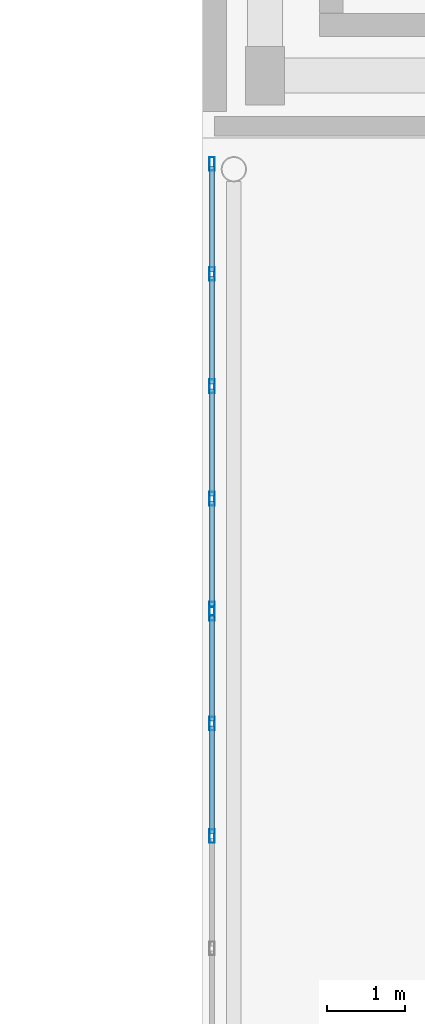
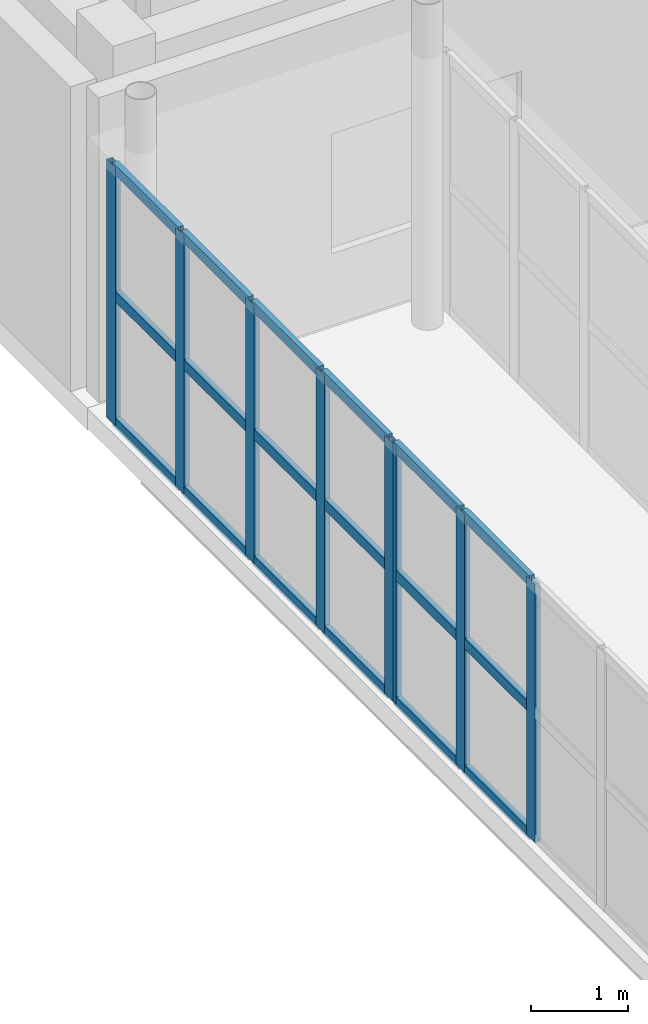
# One storey, part 75 of 146: 26 members, 2 elements without a shape of their own.
"""IFC4 building model written with IfcOpenShell, lengths in metres."""

from ifc_helpers import new_model, si_unit, direction, frame, origin, origin_2d, place, context, subcontext, project, spatial, hollow_rectangle, extrude, material, layer, layer_set, material_profile, profile_set, type_object, element, aggregate, save


model = new_model("IFC4")

# Units and contexts
model_context = context("Model", 3, precision=1e-05, world=origin(), true_north=direction((0.0, 1.0)))
body_context = subcontext(model_context, "Body", "Model", "MODEL_VIEW")
ifc_project = project(units=[si_unit("LENGTHUNIT", "METRE"), si_unit("AREAUNIT", "SQUARE_METRE"), si_unit("VOLUMEUNIT", "CUBIC_METRE"), si_unit("PLANEANGLEUNIT", "RADIAN"), si_unit("MASSUNIT", "GRAM", prefix="KILO")], contexts=[model_context])

# Site, building, storey
site_placement = place(None, origin())
site = spatial("IfcSite", under=ifc_project, at=site_placement, CompositionType="ELEMENT")
building_placement = place(site_placement, origin())
building = spatial("IfcBuilding", under=site, at=building_placement, Name="Valcora Specialist Clinic", CompositionType="ELEMENT")
storey_placement = place(building_placement, frame((0.0, 0.0, 9.52001953125)))
storey = spatial("IfcBuildingStorey", under=building, at=storey_placement, Name="L02", CompositionType="ELEMENT", Elevation=9.52001953125)

# Curtain wall, members
ifc_material = material(Name="Anodized Bronze Aluminium 6063-T6", Category="aluminium")
ifc_layer = layer(ifc_material, 0.175048828125)
ifc_layer_set = layer_set([ifc_layer], Name="Anodized Bronze Aluminium 6063-T6")
curtain_wall_type = type_object("IfcCurtainWallType", Name="TY-CW-BRG14", PredefinedType="NOTDEFINED", material=ifc_layer_set)
curtain_wall_1_placement = place(storey_placement, origin())
curtain_wall_1 = element("IfcCurtainWall", 1, at=curtain_wall_1_placement, inside=storey, type_object=curtain_wall_type, Name="Curtain wall CW-L02-256", PredefinedType="NOTDEFINED")
ifc_material_profile_1 = material_profile(ifc_material, hollow_rectangle(XDim=0.06494140625, YDim=0.175048828125, WallThickness=0.00390625, at=origin_2d()), Name="AL-MUL-65X175")
ifc_profile_set_1 = profile_set([ifc_material_profile_1], Name="Anodized Bronze Aluminium 6063-T6")
member_type_1 = type_object("IfcMemberType", Name="TY-CWM-65X175", PredefinedType="MULLION", material=ifc_profile_set_1)
member_1_placement = place(storey_placement, frame((61.320068359375, 65.050048828125, 0.0), z_axis=(0.0, 0.0, 1.0), x_axis=(-1.0, 0.0, 0.0)))
member_1 = element("IfcMember", 2, at=member_1_placement, type_object=member_type_1, Name="CW-BRG-14 mullion 3", PredefinedType="MULLION", context=body_context, shape_type="SweptSolid", body=[
    extrude(hollow_rectangle(XDim=0.06494140625, YDim=0.175048828125, WallThickness=0.00390625, at=origin_2d()), origin(), (0.0, 0.0, 1.0), 3.239990234375),
])
member_2_placement = place(storey_placement, frame((61.320068359375, 66.49169921875, 0.0), z_axis=(0.0, 0.0, 1.0), x_axis=(-1.0, 0.0, 0.0)))
member_2 = element("IfcMember", 3, at=member_2_placement, type_object=member_type_1, Name="CW-BRG-14 mullion 4", PredefinedType="MULLION", context=body_context, shape_type="SweptSolid", body=[
    extrude(hollow_rectangle(XDim=0.06494140625, YDim=0.175048828125, WallThickness=0.00390625, at=origin_2d()), origin(), (0.0, 0.0, 1.0), 3.239990234375),
])
member_3_placement = place(storey_placement, frame((61.320068359375, 67.90087890625, 0.0), z_axis=(0.0, 0.0, 1.0), x_axis=(-1.0, 0.0, 0.0)))
member_3 = element("IfcMember", 4, at=member_3_placement, type_object=member_type_1, Name="CW-BRG-14 mullion 5", PredefinedType="MULLION", context=body_context, shape_type="SweptSolid", body=[
    extrude(hollow_rectangle(XDim=0.06494140625, YDim=0.175048828125, WallThickness=0.00390625, at=origin_2d()), origin(), (0.0, 0.0, 1.0), 3.239990234375),
])

curtain_wall_2_placement = place(storey_placement, origin())
curtain_wall_2 = element("IfcCurtainWall", 5, at=curtain_wall_2_placement, inside=storey, type_object=curtain_wall_type, Name="Curtain wall CW-L02-257", PredefinedType="NOTDEFINED")
member_4_placement = place(storey_placement, frame((61.320068359375, 67.9658203125, 0.0), z_axis=(0.0, 0.0, 1.0), x_axis=(-1.0, 0.0, 0.0)))
member_4 = element("IfcMember", 6, at=member_4_placement, type_object=member_type_1, Name="CW-BRG-14 mullion 1", PredefinedType="MULLION", context=body_context, shape_type="SweptSolid", body=[
    extrude(hollow_rectangle(XDim=0.06494140625, YDim=0.175048828125, WallThickness=0.00390625, at=origin_2d()), origin(), (0.0, 0.0, 1.0), 3.239990234375),
])
member_5_placement = place(storey_placement, frame((61.320068359375, 69.375, 0.0), z_axis=(0.0, 0.0, 1.0), x_axis=(-1.0, 0.0, 0.0)))
member_5 = element("IfcMember", 7, at=member_5_placement, type_object=member_type_1, Name="CW-BRG-14 mullion 2", PredefinedType="MULLION", context=body_context, shape_type="SweptSolid", body=[
    extrude(hollow_rectangle(XDim=0.06494140625, YDim=0.175048828125, WallThickness=0.00390625, at=origin_2d()), origin(), (0.0, 0.0, 1.0), 3.239990234375),
])
member_6_placement = place(storey_placement, frame((61.320068359375, 70.816650390625, 0.0), z_axis=(0.0, 0.0, 1.0), x_axis=(-1.0, 0.0, 0.0)))
member_6 = element("IfcMember", 8, at=member_6_placement, type_object=member_type_1, Name="CW-BRG-14 mullion 3", PredefinedType="MULLION", context=body_context, shape_type="SweptSolid", body=[
    extrude(hollow_rectangle(XDim=0.06494140625, YDim=0.175048828125, WallThickness=0.00390625, at=origin_2d()), origin(), (0.0, 0.0, 1.0), 3.239990234375),
])
member_7_placement = place(storey_placement, frame((61.320068359375, 72.25830078125, 0.0), z_axis=(0.0, 0.0, 1.0), x_axis=(-1.0, 0.0, 0.0)))
member_7 = element("IfcMember", 9, at=member_7_placement, type_object=member_type_1, Name="CW-BRG-14 mullion 4", PredefinedType="MULLION", context=body_context, shape_type="SweptSolid", body=[
    extrude(hollow_rectangle(XDim=0.06494140625, YDim=0.175048828125, WallThickness=0.00390625, at=origin_2d()), origin(), (0.0, 0.0, 1.0), 3.239990234375),
])
member_8_placement = place(storey_placement, frame((61.320068359375, 73.66748046875, 0.0), z_axis=(0.0, 0.0, 1.0), x_axis=(-1.0, 0.0, 0.0)))
member_8 = element("IfcMember", 10, at=member_8_placement, type_object=member_type_1, Name="CW-BRG-14 mullion 5", PredefinedType="MULLION", context=body_context, shape_type="SweptSolid", body=[
    extrude(hollow_rectangle(XDim=0.06494140625, YDim=0.175048828125, WallThickness=0.00390625, at=origin_2d()), origin(), (0.0, 0.0, 1.0), 3.239990234375),
])

# Member
ifc_material_profile_2 = material_profile(ifc_material, hollow_rectangle(XDim=0.06494140625, YDim=0.1298828125, WallThickness=0.00390625, at=origin_2d()), Name="AL-TRN-65X130")
ifc_profile_set_2 = profile_set([ifc_material_profile_2], Name="Anodized Bronze Aluminium 6063-T6")
member_type_2 = type_object("IfcMemberType", Name="TY-CWT-65X130", PredefinedType="USERDEFINED", material=ifc_profile_set_2)
member_9_placement = place(storey_placement, frame((61.320068359375, 65.08251953125, 0.032470703125), z_axis=(0.0, 1.0, 0.0), x_axis=(-1.0, 0.0, 0.0)))
member_9 = element("IfcMember", 11, at=member_9_placement, type_object=member_type_2, Name="CW-BRG-14 transom 3.1", ObjectType="TRANSOM", PredefinedType="USERDEFINED", context=body_context, shape_type="SweptSolid", body=[
    extrude(hollow_rectangle(XDim=0.06494140625, YDim=0.1298828125, WallThickness=0.00390625, at=origin_2d()), origin(), (0.0, 0.0, 1.0), 1.376708984375),
])

member_10_placement = place(storey_placement, frame((61.320068359375, 65.08251953125, 1.619873046875), z_axis=(0.0, 1.0, 0.0), x_axis=(-1.0, 0.0, 0.0)))
member_10 = element("IfcMember", 12, at=member_10_placement, type_object=member_type_2, Name="CW-BRG-14 transom 3.2", ObjectType="TRANSOM", PredefinedType="USERDEFINED", context=body_context, shape_type="SweptSolid", body=[
    extrude(hollow_rectangle(XDim=0.06494140625, YDim=0.1298828125, WallThickness=0.00390625, at=origin_2d()), origin(), (0.0, 0.0, 1.0), 1.376708984375),
])

member_11_placement = place(storey_placement, frame((61.320068359375, 65.08251953125, 3.20751953125), z_axis=(0.0, 1.0, 0.0), x_axis=(-1.0, 0.0, 0.0)))
member_11 = element("IfcMember", 13, at=member_11_placement, type_object=member_type_2, Name="CW-BRG-14 transom 3.3", ObjectType="TRANSOM", PredefinedType="USERDEFINED", context=body_context, shape_type="SweptSolid", body=[
    extrude(hollow_rectangle(XDim=0.06494140625, YDim=0.1298828125, WallThickness=0.00390625, at=origin_2d()), origin(), (0.0, 0.0, 1.0), 1.376708984375),
])

member_12_placement = place(storey_placement, frame((61.320068359375, 66.524169921875, 0.032470703125), z_axis=(0.0, 1.0, 0.0), x_axis=(-1.0, 0.0, 0.0)))
member_12 = element("IfcMember", 14, at=member_12_placement, type_object=member_type_2, Name="CW-BRG-14 transom 4.1", ObjectType="TRANSOM", PredefinedType="USERDEFINED", context=body_context, shape_type="SweptSolid", body=[
    extrude(hollow_rectangle(XDim=0.06494140625, YDim=0.1298828125, WallThickness=0.00390625, at=origin_2d()), origin(), (0.0, 0.0, 1.0), 1.34423828125),
])

member_13_placement = place(storey_placement, frame((61.320068359375, 66.524169921875, 1.619873046875), z_axis=(0.0, 1.0, 0.0), x_axis=(-1.0, 0.0, 0.0)))
member_13 = element("IfcMember", 15, at=member_13_placement, type_object=member_type_2, Name="CW-BRG-14 transom 4.2", ObjectType="TRANSOM", PredefinedType="USERDEFINED", context=body_context, shape_type="SweptSolid", body=[
    extrude(hollow_rectangle(XDim=0.06494140625, YDim=0.1298828125, WallThickness=0.00390625, at=origin_2d()), origin(), (0.0, 0.0, 1.0), 1.34423828125),
])

member_14_placement = place(storey_placement, frame((61.320068359375, 66.524169921875, 3.20751953125), z_axis=(0.0, 1.0, 0.0), x_axis=(-1.0, 0.0, 0.0)))
member_14 = element("IfcMember", 16, at=member_14_placement, type_object=member_type_2, Name="CW-BRG-14 transom 4.3", ObjectType="TRANSOM", PredefinedType="USERDEFINED", context=body_context, shape_type="SweptSolid", body=[
    extrude(hollow_rectangle(XDim=0.06494140625, YDim=0.1298828125, WallThickness=0.00390625, at=origin_2d()), origin(), (0.0, 0.0, 1.0), 1.34423828125),
])

aggregate(curtain_wall_1, [member_1, member_2, member_3, member_9, member_10, member_11, member_12, member_13, member_14])

member_15_placement = place(storey_placement, frame((61.320068359375, 67.998291015625, 0.032470703125), z_axis=(0.0, 1.0, 0.0), x_axis=(-1.0, 0.0, 0.0)))
member_15 = element("IfcMember", 17, at=member_15_placement, type_object=member_type_2, Name="CW-BRG-14 transom 1.1", ObjectType="TRANSOM", PredefinedType="USERDEFINED", context=body_context, shape_type="SweptSolid", body=[
    extrude(hollow_rectangle(XDim=0.06494140625, YDim=0.1298828125, WallThickness=0.00390625, at=origin_2d()), origin(), (0.0, 0.0, 1.0), 1.34423828125),
])

member_16_placement = place(storey_placement, frame((61.320068359375, 67.998291015625, 1.619873046875), z_axis=(0.0, 1.0, 0.0), x_axis=(-1.0, 0.0, 0.0)))
member_16 = element("IfcMember", 18, at=member_16_placement, type_object=member_type_2, Name="CW-BRG-14 transom 1.2", ObjectType="TRANSOM", PredefinedType="USERDEFINED", context=body_context, shape_type="SweptSolid", body=[
    extrude(hollow_rectangle(XDim=0.06494140625, YDim=0.1298828125, WallThickness=0.00390625, at=origin_2d()), origin(), (0.0, 0.0, 1.0), 1.34423828125),
])

member_17_placement = place(storey_placement, frame((61.320068359375, 67.998291015625, 3.20751953125), z_axis=(0.0, 1.0, 0.0), x_axis=(-1.0, 0.0, 0.0)))
member_17 = element("IfcMember", 19, at=member_17_placement, type_object=member_type_2, Name="CW-BRG-14 transom 1.3", ObjectType="TRANSOM", PredefinedType="USERDEFINED", context=body_context, shape_type="SweptSolid", body=[
    extrude(hollow_rectangle(XDim=0.06494140625, YDim=0.1298828125, WallThickness=0.00390625, at=origin_2d()), origin(), (0.0, 0.0, 1.0), 1.34423828125),
])

member_18_placement = place(storey_placement, frame((61.320068359375, 69.407470703125, 0.032470703125), z_axis=(0.0, 1.0, 0.0), x_axis=(-1.0, 0.0, 0.0)))
member_18 = element("IfcMember", 20, at=member_18_placement, type_object=member_type_2, Name="CW-BRG-14 transom 2.1", ObjectType="TRANSOM", PredefinedType="USERDEFINED", context=body_context, shape_type="SweptSolid", body=[
    extrude(hollow_rectangle(XDim=0.06494140625, YDim=0.1298828125, WallThickness=0.00390625, at=origin_2d()), origin(), (0.0, 0.0, 1.0), 1.376708984375),
])

member_19_placement = place(storey_placement, frame((61.320068359375, 69.407470703125, 1.619873046875), z_axis=(0.0, 1.0, 0.0), x_axis=(-1.0, 0.0, 0.0)))
member_19 = element("IfcMember", 21, at=member_19_placement, type_object=member_type_2, Name="CW-BRG-14 transom 2.2", ObjectType="TRANSOM", PredefinedType="USERDEFINED", context=body_context, shape_type="SweptSolid", body=[
    extrude(hollow_rectangle(XDim=0.06494140625, YDim=0.1298828125, WallThickness=0.00390625, at=origin_2d()), origin(), (0.0, 0.0, 1.0), 1.376708984375),
])

member_20_placement = place(storey_placement, frame((61.320068359375, 69.407470703125, 3.20751953125), z_axis=(0.0, 1.0, 0.0), x_axis=(-1.0, 0.0, 0.0)))
member_20 = element("IfcMember", 22, at=member_20_placement, type_object=member_type_2, Name="CW-BRG-14 transom 2.3", ObjectType="TRANSOM", PredefinedType="USERDEFINED", context=body_context, shape_type="SweptSolid", body=[
    extrude(hollow_rectangle(XDim=0.06494140625, YDim=0.1298828125, WallThickness=0.00390625, at=origin_2d()), origin(), (0.0, 0.0, 1.0), 1.376708984375),
])

member_21_placement = place(storey_placement, frame((61.320068359375, 70.84912109375, 0.032470703125), z_axis=(0.0, 1.0, 0.0), x_axis=(-1.0, 0.0, 0.0)))
member_21 = element("IfcMember", 23, at=member_21_placement, type_object=member_type_2, Name="CW-BRG-14 transom 3.1", ObjectType="TRANSOM", PredefinedType="USERDEFINED", context=body_context, shape_type="SweptSolid", body=[
    extrude(hollow_rectangle(XDim=0.06494140625, YDim=0.1298828125, WallThickness=0.00390625, at=origin_2d()), origin(), (0.0, 0.0, 1.0), 1.376708984375),
])

member_22_placement = place(storey_placement, frame((61.320068359375, 70.84912109375, 1.619873046875), z_axis=(0.0, 1.0, 0.0), x_axis=(-1.0, 0.0, 0.0)))
member_22 = element("IfcMember", 24, at=member_22_placement, type_object=member_type_2, Name="CW-BRG-14 transom 3.2", ObjectType="TRANSOM", PredefinedType="USERDEFINED", context=body_context, shape_type="SweptSolid", body=[
    extrude(hollow_rectangle(XDim=0.06494140625, YDim=0.1298828125, WallThickness=0.00390625, at=origin_2d()), origin(), (0.0, 0.0, 1.0), 1.376708984375),
])

member_23_placement = place(storey_placement, frame((61.320068359375, 70.84912109375, 3.20751953125), z_axis=(0.0, 1.0, 0.0), x_axis=(-1.0, 0.0, 0.0)))
member_23 = element("IfcMember", 25, at=member_23_placement, type_object=member_type_2, Name="CW-BRG-14 transom 3.3", ObjectType="TRANSOM", PredefinedType="USERDEFINED", context=body_context, shape_type="SweptSolid", body=[
    extrude(hollow_rectangle(XDim=0.06494140625, YDim=0.1298828125, WallThickness=0.00390625, at=origin_2d()), origin(), (0.0, 0.0, 1.0), 1.376708984375),
])

member_24_placement = place(storey_placement, frame((61.320068359375, 72.290771484375, 0.032470703125), z_axis=(0.0, 1.0, 0.0), x_axis=(-1.0, 0.0, 0.0)))
member_24 = element("IfcMember", 26, at=member_24_placement, type_object=member_type_2, Name="CW-BRG-14 transom 4.1", ObjectType="TRANSOM", PredefinedType="USERDEFINED", context=body_context, shape_type="SweptSolid", body=[
    extrude(hollow_rectangle(XDim=0.06494140625, YDim=0.1298828125, WallThickness=0.00390625, at=origin_2d()), origin(), (0.0, 0.0, 1.0), 1.34423828125),
])

member_25_placement = place(storey_placement, frame((61.320068359375, 72.290771484375, 1.619873046875), z_axis=(0.0, 1.0, 0.0), x_axis=(-1.0, 0.0, 0.0)))
member_25 = element("IfcMember", 27, at=member_25_placement, type_object=member_type_2, Name="CW-BRG-14 transom 4.2", ObjectType="TRANSOM", PredefinedType="USERDEFINED", context=body_context, shape_type="SweptSolid", body=[
    extrude(hollow_rectangle(XDim=0.06494140625, YDim=0.1298828125, WallThickness=0.00390625, at=origin_2d()), origin(), (0.0, 0.0, 1.0), 1.34423828125),
])

member_26_placement = place(storey_placement, frame((61.320068359375, 72.290771484375, 3.20751953125), z_axis=(0.0, 1.0, 0.0), x_axis=(-1.0, 0.0, 0.0)))
member_26 = element("IfcMember", 28, at=member_26_placement, type_object=member_type_2, Name="CW-BRG-14 transom 4.3", ObjectType="TRANSOM", PredefinedType="USERDEFINED", context=body_context, shape_type="SweptSolid", body=[
    extrude(hollow_rectangle(XDim=0.06494140625, YDim=0.1298828125, WallThickness=0.00390625, at=origin_2d()), origin(), (0.0, 0.0, 1.0), 1.34423828125),
])

aggregate(curtain_wall_2, [member_4, member_5, member_6, member_7, member_8, member_15, member_16, member_17, member_18, member_19, member_20, member_21, member_22, member_23, member_24, member_25, member_26])

save(model, "model.ifc")
